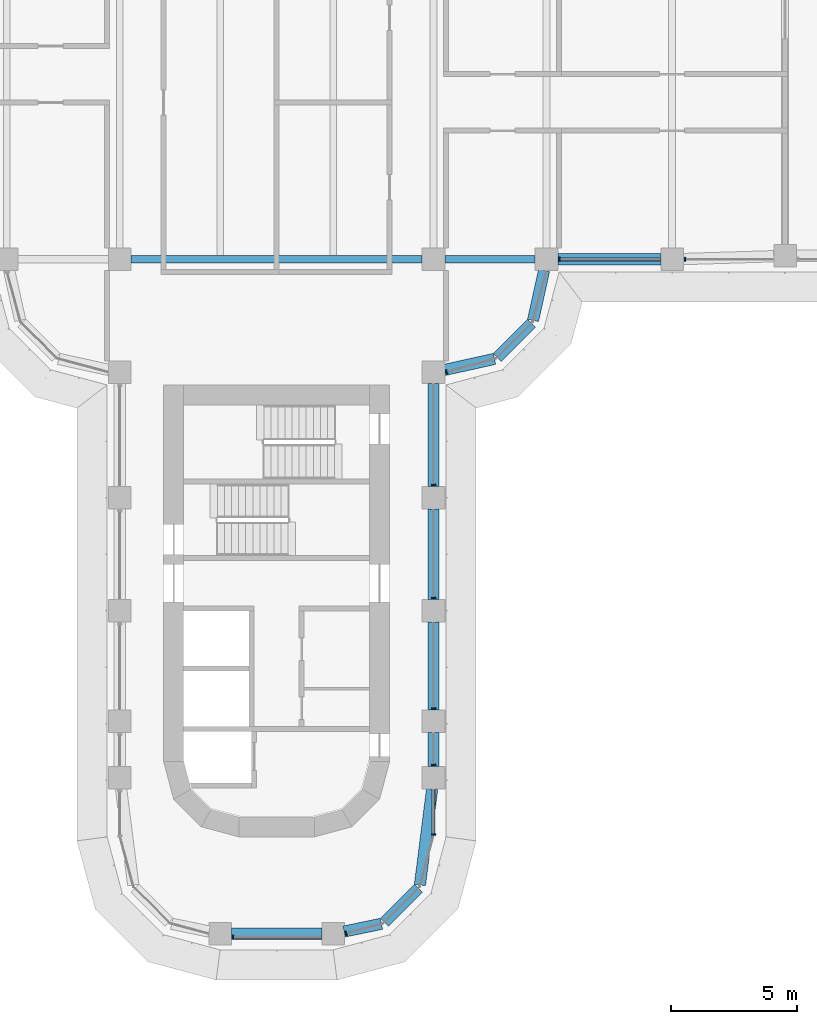
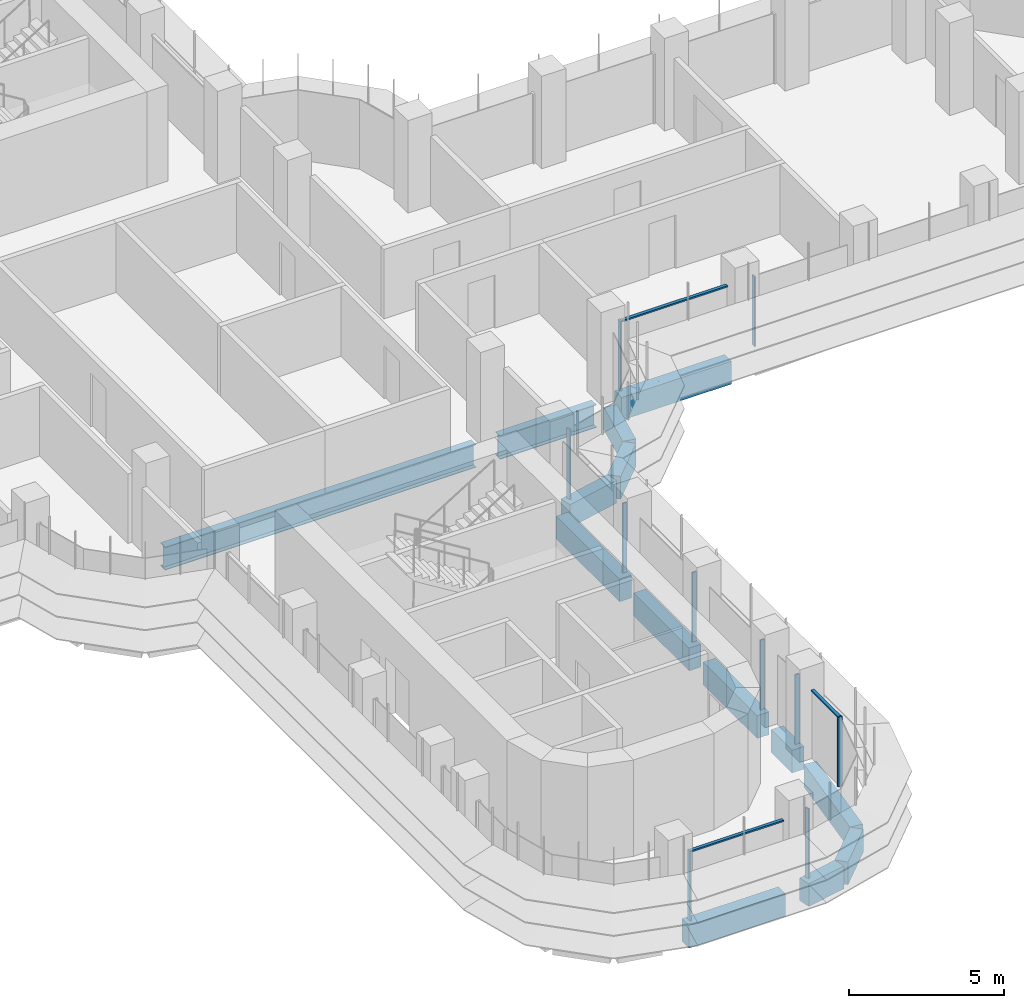
# One storey, part 4 of 22: 14 beams, 13 members, 5 elements without a shape of their own.
"""IFC4 building model written with IfcOpenShell, lengths in metres."""

from ifc_helpers import new_model, si_unit, direction, frame, origin, origin_2d, place, context, subcontext, project, spatial, polyline, rectangle, i_section, outline, extrude, source, transform, mapped, material, material_profile, profile_set, type_object, element, aggregate, save


model = new_model("IFC4")

# Units and contexts
model_context = context("Model", 3, precision=1e-05, world=origin(), true_north=direction((0.0, 1.0)))
body_context = subcontext(model_context, "Body", "Model", "MODEL_VIEW")
ifc_project = project(units=[si_unit("LENGTHUNIT", "METRE"), si_unit("AREAUNIT", "SQUARE_METRE"), si_unit("VOLUMEUNIT", "CUBIC_METRE"), si_unit("PLANEANGLEUNIT", "RADIAN"), si_unit("MASSUNIT", "GRAM", prefix="KILO")], contexts=[model_context])

# Site, building, storey
site_placement = place(None, origin())
site = spatial("IfcSite", under=ifc_project, at=site_placement, CompositionType="ELEMENT")
building_placement = place(site_placement, origin())
building = spatial("IfcBuilding", under=site, at=building_placement, Name="Zarbagh Exchange Tower", CompositionType="ELEMENT")
storey_placement = place(building_placement, frame((0.0, 0.0, 105.60009765625)))
storey = spatial("IfcBuildingStorey", under=building, at=storey_placement, Name="L24", CompositionType="ELEMENT", Elevation=105.60009765625)

# Beams
ifc_material_1 = material(Name="Steel ASTM A992 Gr 50", Category="steel")
ifc_material_profile_1 = material_profile(ifc_material_1, i_section(OverallWidth=0.3046875, OverallDepth=0.911865234375, WebThickness=0.015869140625, FlangeThickness=0.02392578125, at=origin_2d()), Name="W36X150")
ifc_profile_set_1 = profile_set([ifc_material_profile_1], Name="Steel ASTM A992 Gr 50")
beam_type_1 = type_object("IfcBeamType", Name="Floor girder W36X150", PredefinedType="BEAM", material=ifc_profile_set_1)
beam_1_placement = place(storey_placement, frame((-5.800048828125, -6.25, -0.60595703125), z_axis=(1.0, 0.0, 0.0), x_axis=(0.0, 1.0, 0.0)))
element("IfcBeam", 1, at=beam_1_placement, inside=storey, type_object=beam_type_1, Name="Steel girder", PredefinedType="BEAM", context=body_context, shape_type="SweptSolid", body=[
    extrude(i_section(OverallWidth=0.3046875, OverallDepth=0.911865234375, WebThickness=0.015869140625, FlangeThickness=0.02392578125, at=origin_2d()), origin(), (0.0, 0.0, 1.0), 11.60009765625),
])
beam_2_placement = place(storey_placement, frame((6.699951171875, -6.25, -0.60595703125), z_axis=(1.0, 0.0, 0.0), x_axis=(0.0, 1.0, 0.0)))
element("IfcBeam", 2, at=beam_2_placement, inside=storey, type_object=beam_type_1, Name="Steel girder", PredefinedType="BEAM", context=body_context, shape_type="SweptSolid", body=[
    extrude(i_section(OverallWidth=0.3046875, OverallDepth=0.911865234375, WebThickness=0.015869140625, FlangeThickness=0.02392578125, at=origin_2d()), origin(), (0.0, 0.0, 1.0), 3.60009765625),
])
ifc_material_2 = material(Name="Concrete C60/75", Category="concrete")
ifc_material_profile_2 = material_profile(ifc_material_2, rectangle(XDim=0.449951171875, YDim=0.89990234375, at=origin_2d()), Name="RC spandrel beam 450 x 900 C60/75")
ifc_profile_set_2 = profile_set([ifc_material_profile_2], Name="Concrete C60/75")
beam_type_2 = type_object("IfcBeamType", Name="RC spandrel beam 450 x 900 C60/75", PredefinedType="SPANDREL", material=ifc_profile_set_2)
beam_3_placement = place(storey_placement, frame((15.300048828125, -6.25, -0.60009765625), z_axis=(-1.0, 0.0, 0.0), x_axis=(0.0, -1.0, 0.0)))
element("IfcBeam", 3, at=beam_3_placement, inside=storey, type_object=beam_type_2, Name="RC spandrel beam", PredefinedType="SPANDREL", context=body_context, shape_type="SweptSolid", body=[
    extrude(rectangle(XDim=0.449951171875, YDim=0.89990234375, at=origin_2d()), origin(), (0.0, 0.0, 1.0), 4.10009765625),
])
beam_4_placement = place(storey_placement, frame((10.65283203125, -6.689453125, -0.60009765625), z_axis=(-0.216117666208, -0.976367325525, 0.0), x_axis=(0.976367325525, -0.216117666208, 0.0)))
element("IfcBeam", 4, at=beam_4_placement, inside=storey, type_object=beam_type_2, Name="RC spandrel beam", PredefinedType="SPANDREL", context=body_context, shape_type="SweptSolid", body=[
    extrude(rectangle(XDim=0.449951171875, YDim=0.89990234375, at=origin_2d()), origin(), (0.0, 0.0, 1.0), 2.03564453125),
])
beam_5_placement = place(storey_placement, frame((10.15234375, -8.78759765625, -0.60009765625), z_axis=(-0.707106781187, -0.707106781187, 0.0), x_axis=(0.707106781187, -0.707106781187, 0.0)))
element("IfcBeam", 5, at=beam_5_placement, inside=storey, type_object=beam_type_2, Name="RC spandrel beam", PredefinedType="SPANDREL", context=body_context, shape_type="SweptSolid", body=[
    extrude(rectangle(XDim=0.449951171875, YDim=0.89990234375, at=origin_2d()), origin(), (0.0, 0.0, 1.0), 1.929931640625),
])
beam_6_placement = place(storey_placement, frame((8.677001953125, -10.212890625, -0.60009765625), z_axis=(-0.976367325525, -0.216117666208, 0.0), x_axis=(0.216117666208, -0.976367325525, 0.0)))
element("IfcBeam", 6, at=beam_6_placement, inside=storey, type_object=beam_type_2, Name="RC spandrel beam", PredefinedType="SPANDREL", context=body_context, shape_type="SweptSolid", body=[
    extrude(rectangle(XDim=0.449951171875, YDim=0.89990234375, at=origin_2d()), origin(), (0.0, 0.0, 1.0), 2.03564453125),
])
beam_7_placement = place(storey_placement, frame((6.25, -11.199951171875, -0.60009765625), z_axis=(0.0, -1.0, 0.0), x_axis=(1.0, 0.0, 0.0)))
element("IfcBeam", 7, at=beam_7_placement, inside=storey, type_object=beam_type_2, Name="RC spandrel beam", PredefinedType="SPANDREL", context=body_context, shape_type="SweptSolid", body=[
    extrude(rectangle(XDim=0.449951171875, YDim=0.89990234375, at=origin_2d()), origin(), (0.0, 0.0, 1.0), 4.10009765625),
])
beam_8_placement = place(storey_placement, frame((6.25, -16.199951171875, -0.60009765625), z_axis=(0.0, -1.0, 0.0), x_axis=(1.0, 0.0, 0.0)))
element("IfcBeam", 8, at=beam_8_placement, inside=storey, type_object=beam_type_2, Name="RC spandrel beam", PredefinedType="SPANDREL", context=body_context, shape_type="SweptSolid", body=[
    extrude(rectangle(XDim=0.449951171875, YDim=0.89990234375, at=origin_2d()), origin(), (0.0, 0.0, 1.0), 3.60009765625),
])
beam_9_placement = place(storey_placement, frame((6.25, -20.699951171875, -0.60009765625), z_axis=(0.0, -1.0, 0.0), x_axis=(1.0, 0.0, 0.0)))
element("IfcBeam", 9, at=beam_9_placement, inside=storey, type_object=beam_type_2, Name="RC spandrel beam", PredefinedType="SPANDREL", context=body_context, shape_type="SweptSolid", body=[
    extrude(rectangle(XDim=0.449951171875, YDim=0.89990234375, at=origin_2d()), origin(), (0.0, 0.0, 1.0), 3.5),
])
beam_10_placement = place(storey_placement, frame((6.25, -25.10009765625, -0.60009765625), z_axis=(0.0, -1.0, 0.0), x_axis=(1.0, 0.0, 0.0)))
element("IfcBeam", 10, at=beam_10_placement, inside=storey, type_object=beam_type_2, Name="RC spandrel beam", PredefinedType="SPANDREL", context=body_context, shape_type="SweptSolid", body=[
    extrude(rectangle(XDim=0.449951171875, YDim=0.89990234375, at=origin_2d()), origin(), (0.0, 0.0, 1.0), 1.349853515625),
])
beam_11_placement = place(storey_placement, frame((6.193359375, -27.346435546875, -0.60009765625), z_axis=(-0.12597055537, -0.992033980859, 0.0), x_axis=(0.992033980859, -0.12597055537, 0.0)))
element("IfcBeam", 11, at=beam_11_placement, inside=storey, type_object=beam_type_2, Name="RC spandrel beam", PredefinedType="SPANDREL", context=body_context, shape_type="SweptSolid", body=[
    extrude(rectangle(XDim=0.449951171875, YDim=0.89990234375, at=origin_2d()), origin(), (0.0, 0.0, 1.0), 3.84912109375),
])
beam_12_placement = place(storey_placement, frame((5.644287109375, -31.295654296875, -0.60009765625), z_axis=(-0.707106781187, -0.707106781187, 0.0), x_axis=(0.707106781187, -0.707106781187, 0.0)))
element("IfcBeam", 12, at=beam_12_placement, inside=storey, type_object=beam_type_2, Name="RC spandrel beam", PredefinedType="SPANDREL", context=body_context, shape_type="SweptSolid", body=[
    extrude(rectangle(XDim=0.449951171875, YDim=0.89990234375, at=origin_2d()), origin(), (0.0, 0.0, 1.0), 1.9169921875),
])
beam_13_placement = place(storey_placement, frame((4.17529296875, -32.71240234375, -0.60009765625), z_axis=(-0.979328675816, -0.202275417995, 0.0), x_axis=(0.202275417995, -0.979328675816, 0.0)))
element("IfcBeam", 13, at=beam_13_placement, inside=storey, type_object=beam_type_2, Name="RC spandrel beam", PredefinedType="SPANDREL", context=body_context, shape_type="SweptSolid", body=[
    extrude(rectangle(XDim=0.449951171875, YDim=0.89990234375, at=origin_2d()), origin(), (0.0, 0.0, 1.0), 1.515869140625),
])
beam_14_placement = place(storey_placement, frame((1.800048828125, -33.110107421875, -0.60009765625), z_axis=(-1.0, 0.0, 0.0), x_axis=(0.0, -1.0, 0.0)))
element("IfcBeam", 14, at=beam_14_placement, inside=storey, type_object=beam_type_2, Name="RC spandrel beam", PredefinedType="SPANDREL", context=body_context, shape_type="SweptSolid", body=[
    extrude(rectangle(XDim=0.449951171875, YDim=0.89990234375, at=origin_2d()), origin(), (0.0, 0.0, 1.0), 3.60009765625),
])

# Curtain wall, member
ifc_material_3 = material(Name="Anodised aluminium frame and glazing", Category="aluminium")
curtain_wall_type = type_object("IfcCurtainWallType", Name="CWA Ribbon glazing, lower zones", PredefinedType="NOTDEFINED", material=ifc_material_3)
curtain_wall_1_placement = place(storey_placement, origin())
curtain_wall_1 = element("IfcCurtainWall", 15, at=curtain_wall_1_placement, inside=storey, type_object=curtain_wall_type, Name="CWA01 curtain wall", PredefinedType="NOTDEFINED")
ifc_material_4 = material(Name="Anodised aluminium frame", Category="aluminium")
member_type_1 = type_object("IfcMemberType", Name="MUA Mullion, anodised aluminium frame", PredefinedType="MULLION", material=ifc_material_4)
shared_shape_1 = source(origin(), body_context, "Body", "SweptSolid", [
    extrude(outline(polyline([(0.0, -0.080078125), (0.06005859375, -0.080078125), (0.06005859375, 0.080078125), (0.0, 0.080078125), (0.0, -0.080078125)])), origin(), (0.0, 0.0, 1.0), 2.75),
])
placement = place(storey_placement, origin())
member_1 = element("IfcMember", 16, at=placement, type_object=member_type_1, Name="CWA01 mullion 1.1", PredefinedType="MULLION", context=body_context, shape_type="MappedRepresentation", body=[
    mapped(shared_shape_1, transform((2.739990234375, -33.10107421875, 0.0), x_axis=(0.965924289636, 0.258824779902, 0.0), y_axis=(-0.258824779902, 0.965924289636, 0.0), z_axis=(0.0, 0.0, 1.0))),
])
aggregate(curtain_wall_1, [member_1])

# Curtain wall, members
curtain_wall_2_placement = place(storey_placement, origin())
curtain_wall_2 = element("IfcCurtainWall", 17, at=curtain_wall_2_placement, inside=storey, type_object=curtain_wall_type, Name="CWA04 curtain wall", PredefinedType="NOTDEFINED")
member_2 = element("IfcMember", 18, at=placement, type_object=member_type_1, Name="CWA04 mullion 1.1", PredefinedType="MULLION", context=body_context, shape_type="MappedRepresentation", body=[
    mapped(shared_shape_1, transform((6.25, -29.18408203125, 0.0), x_axis=(0.0, 1.0, 0.0), y_axis=(-1.0, 0.0, 0.0), z_axis=(0.0, 0.0, 1.0))),
])
member_3 = element("IfcMember", 19, at=placement, type_object=member_type_1, Name="CWA04 mullion 2.1", PredefinedType="MULLION", context=body_context, shape_type="MappedRepresentation", body=[
    mapped(shared_shape_1, transform((6.25, -26.409912109375, 0.0), x_axis=(0.0, 1.0, 0.0), y_axis=(-1.0, 0.0, 0.0), z_axis=(0.0, 0.0, 1.0))),
])
member_4 = element("IfcMember", 20, at=placement, type_object=member_type_1, Name="CWA04 mullion 3.1", PredefinedType="MULLION", context=body_context, shape_type="MappedRepresentation", body=[
    mapped(shared_shape_1, transform((6.25, -24.159912109375, 0.0), x_axis=(0.0, 1.0, 0.0), y_axis=(-1.0, 0.0, 0.0), z_axis=(0.0, 0.0, 1.0))),
])
member_5 = element("IfcMember", 21, at=placement, type_object=member_type_1, Name="CWA04 mullion 4.1", PredefinedType="MULLION", context=body_context, shape_type="MappedRepresentation", body=[
    mapped(shared_shape_1, transform((6.25, -19.760009765625, 0.0), x_axis=(0.0, 1.0, 0.0), y_axis=(-1.0, 0.0, 0.0), z_axis=(0.0, 0.0, 1.0))),
])
member_6 = element("IfcMember", 22, at=placement, type_object=member_type_1, Name="CWA04 mullion 5.1", PredefinedType="MULLION", context=body_context, shape_type="MappedRepresentation", body=[
    mapped(shared_shape_1, transform((6.25, -15.260009765625, 0.0), x_axis=(0.0, 1.0, 0.0), y_axis=(-1.0, 0.0, 0.0), z_axis=(0.0, 0.0, 1.0))),
])

# Curtain wall, member
curtain_wall_3_placement = place(storey_placement, origin())
curtain_wall_3 = element("IfcCurtainWall", 23, at=curtain_wall_3_placement, inside=storey, type_object=curtain_wall_type, Name="CWA05 curtain wall", PredefinedType="NOTDEFINED")
member_7 = element("IfcMember", 24, at=placement, type_object=member_type_1, Name="CWA05 mullion 1.1", PredefinedType="MULLION", context=body_context, shape_type="MappedRepresentation", body=[
    mapped(shared_shape_1, transform((6.739990234375, -10.735107421875, 0.0), x_axis=(0.965924289636, 0.258824779902, 0.0), y_axis=(-0.258824779902, 0.965924289636, 0.0), z_axis=(0.0, 0.0, 1.0))),
])
aggregate(curtain_wall_3, [member_7])

# Curtain wall, members
curtain_wall_4_placement = place(storey_placement, origin())
curtain_wall_4 = element("IfcCurtainWall", 25, at=curtain_wall_4_placement, inside=storey, type_object=curtain_wall_type, Name="CWA08 curtain wall", PredefinedType="NOTDEFINED")
member_8 = element("IfcMember", 26, at=placement, type_object=member_type_1, Name="CWA08 mullion 1.1", PredefinedType="MULLION", context=body_context, shape_type="MappedRepresentation", body=[
    mapped(shared_shape_1, transform((11.239990234375, -6.25, 0.0), x_axis=(1.0, 0.0, 0.0), y_axis=(0.0, 1.0, 0.0), z_axis=(0.0, 0.0, 1.0))),
])
member_9 = element("IfcMember", 27, at=placement, type_object=member_type_1, Name="CWA08 mullion 2.1", PredefinedType="MULLION", context=body_context, shape_type="MappedRepresentation", body=[
    mapped(shared_shape_1, transform((16.239990234375, -6.25, 0.0), x_axis=(1.0, 0.0, 0.0), y_axis=(0.0, 1.0, 0.0), z_axis=(0.0, 0.0, 1.0))),
])

# Curtain wall, member
curtain_wall_5_placement = place(storey_placement, origin())
curtain_wall_5 = element("IfcCurtainWall", 28, at=curtain_wall_5_placement, inside=storey, type_object=curtain_wall_type, Name="CWA48 curtain wall", PredefinedType="NOTDEFINED")
member_10 = element("IfcMember", 29, at=placement, type_object=member_type_1, Name="CWA48 mullion 1.1", PredefinedType="MULLION", context=body_context, shape_type="MappedRepresentation", body=[
    mapped(shared_shape_1, transform((-1.760009765625, -33.25, 0.0), x_axis=(1.0, 0.0, 0.0), y_axis=(0.0, 1.0, 0.0), z_axis=(0.0, 0.0, 1.0))),
])

# Member
member_type_2 = type_object("IfcMemberType", Name="TRA Transom, anodised aluminium frame", PredefinedType="USERDEFINED", material=ifc_material_4)
shared_shape_2 = source(origin(), body_context, "Body", "SweptSolid", [
    extrude(outline(polyline([(-0.06005859375, -0.06005859375), (0.0, -0.06005859375), (0.0, 0.06005859375), (-0.06005859375, 0.06005859375), (-0.06005859375, -0.06005859375)])), origin(), (0.0, 0.0, 1.0), 1.734130859375),
])
member_11 = element("IfcMember", 30, at=placement, type_object=member_type_2, Name="CWA04 transom 1.1", ObjectType="TRANSOM", PredefinedType="USERDEFINED", context=body_context, shape_type="MappedRepresentation", body=[
    mapped(shared_shape_2, transform((6.25, -29.124267578125, 2.75), x_axis=(0.0, 0.0, 1.0), y_axis=(1.0, 0.0, 0.0), z_axis=(0.0, 1.0, 0.0))),
])

aggregate(curtain_wall_2, [member_2, member_11, member_3, member_4, member_5, member_6])

shared_shape_3 = source(origin(), body_context, "Body", "SweptSolid", [
    extrude(outline(polyline([(-0.06005859375, -0.06005859375), (0.0, -0.06005859375), (0.0, 0.06005859375), (-0.06005859375, 0.06005859375), (-0.06005859375, -0.06005859375)])), origin(), (0.0, 0.0, 1.0), 3.9599609375),
])
member_12 = element("IfcMember", 31, at=placement, type_object=member_type_2, Name="CWA08 transom 1.1", ObjectType="TRANSOM", PredefinedType="USERDEFINED", context=body_context, shape_type="MappedRepresentation", body=[
    mapped(shared_shape_3, transform((11.300048828125, -6.25, 2.75), x_axis=(0.0, 0.0, 1.0), y_axis=(0.0, -1.0, 0.0), z_axis=(1.0, 0.0, 0.0))),
])

aggregate(curtain_wall_4, [member_8, member_12, member_9])

shared_shape_4 = source(origin(), body_context, "Body", "SweptSolid", [
    extrude(outline(polyline([(-0.06005859375, -0.06005859375), (0.0, -0.06005859375), (0.0, 0.06005859375), (-0.06005859375, 0.06005859375), (-0.06005859375, -0.06005859375)])), origin(), (0.0, 0.0, 1.0), 3.4599609375),
])
member_13 = element("IfcMember", 32, at=placement, type_object=member_type_2, Name="CWA48 transom 1.1", ObjectType="TRANSOM", PredefinedType="USERDEFINED", context=body_context, shape_type="MappedRepresentation", body=[
    mapped(shared_shape_4, transform((-1.699951171875, -33.25, 2.75), x_axis=(0.0, 0.0, 1.0), y_axis=(0.0, -1.0, 0.0), z_axis=(1.0, 0.0, 0.0))),
])

aggregate(curtain_wall_5, [member_10, member_13])

save(model, "model.ifc")
